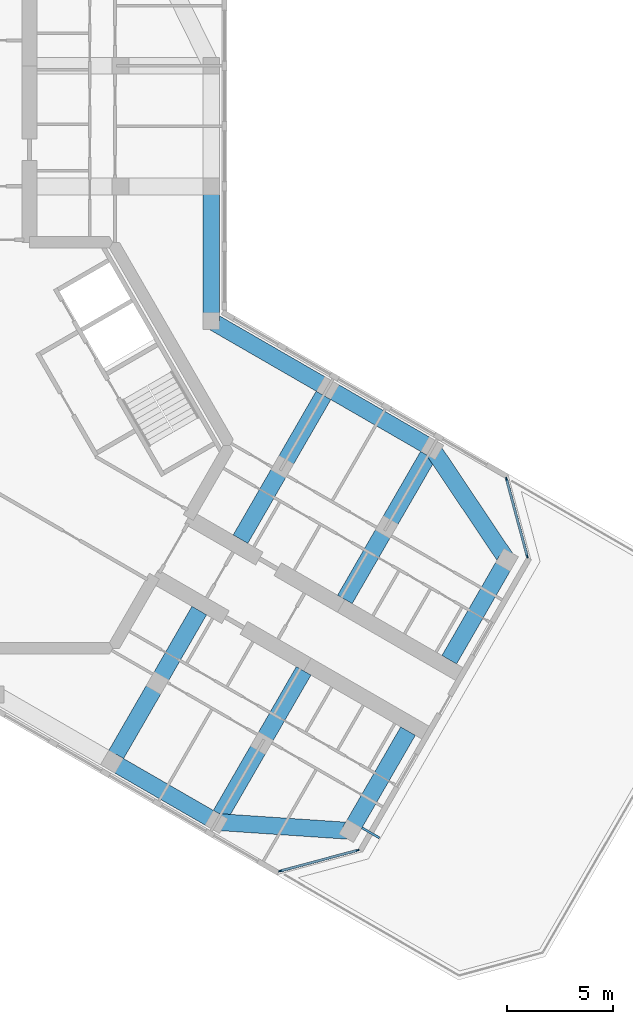
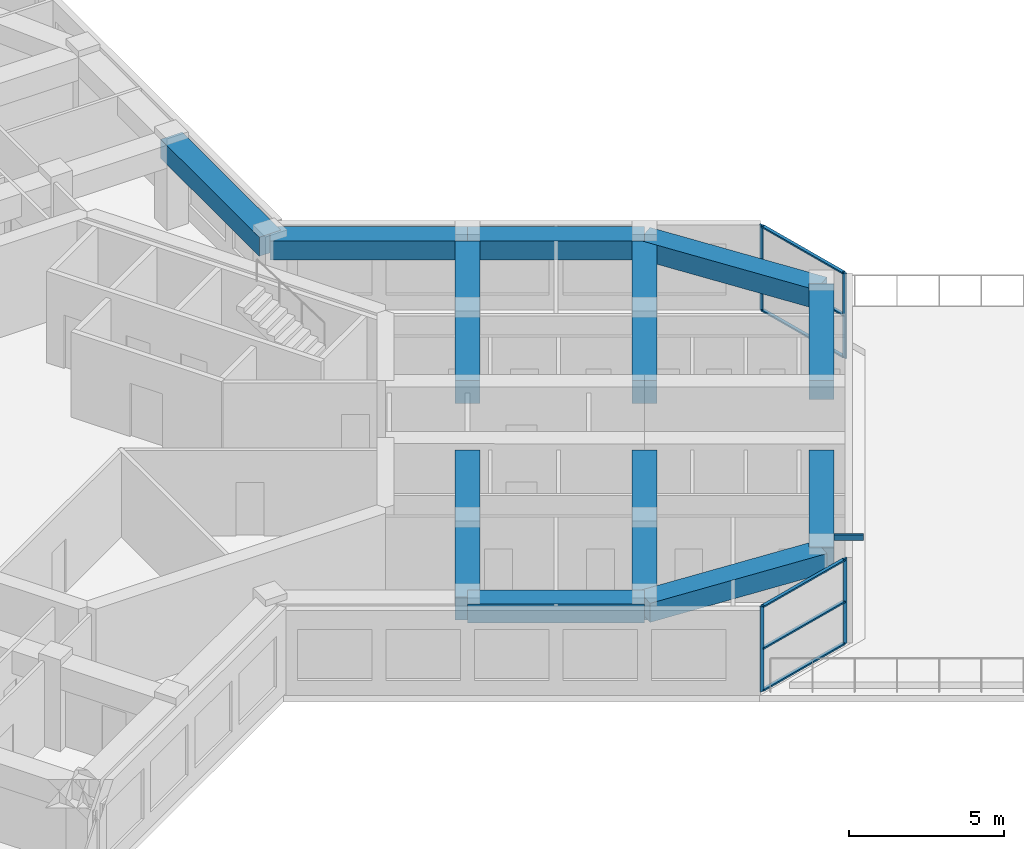
# One storey, part 4 of 14: 12 beams, 11 members, 2 elements without a shape of their own.
"""IFC4 building model written with IfcOpenShell, lengths in metres."""

from ifc_helpers import new_model, si_unit, direction, frame, origin, origin_2d, place, context, subcontext, project, spatial, rectangle, hollow_rectangle, extrude, material, material_profile, profile_set, type_object, element, aggregate, save


model = new_model("IFC4")

# Units and contexts
model_context = context("Model", 3, precision=1e-05, world=origin(), true_north=direction((0.0, 1.0)))
body_context = subcontext(model_context, "Body", "Model", "MODEL_VIEW")
ifc_project = project(units=[si_unit("LENGTHUNIT", "METRE"), si_unit("AREAUNIT", "SQUARE_METRE"), si_unit("VOLUMEUNIT", "CUBIC_METRE"), si_unit("PLANEANGLEUNIT", "RADIAN"), si_unit("MASSUNIT", "GRAM", prefix="KILO")], contexts=[model_context])

# Site, building, storey
site_placement = place(None, origin())
site = spatial("IfcSite", under=ifc_project, at=site_placement, CompositionType="ELEMENT")
building_placement = place(site_placement, origin())
building = spatial("IfcBuilding", under=site, at=building_placement, Name="Kosmar Iwan School Tower", CompositionType="ELEMENT")
storey_placement = place(building_placement, frame((0.0, 0.0, 267.39990234375)))
storey = spatial("IfcBuildingStorey", under=building, at=storey_placement, Name="L67", CompositionType="ELEMENT", Elevation=267.39990234375)

# Member
ifc_material_1 = material(Name="Steel S355", Category="steel")
ifc_material_profile_1 = material_profile(ifc_material_1, hollow_rectangle(XDim=0.10009765625, YDim=0.199951171875, WallThickness=0.008056640625, at=origin_2d()), Name="RHS 200x100x8")
ifc_profile_set_1 = profile_set([ifc_material_profile_1], Name="Steel S355")
member_type_1 = type_object("IfcMemberType", Name="Fin bracket RHS 200x100", PredefinedType="USERDEFINED", material=ifc_profile_set_1)
member_1_placement = place(storey_placement, frame((17.327880859375, -18.087158203125, 3.47509765625), z_axis=(0.865988727248, -0.500063520245, 0.0), x_axis=(0.500063520245, 0.865988727248, 0.0)))
element("IfcMember", 1, at=member_1_placement, inside=storey, type_object=member_type_1, Name="Fin bracket L68", ObjectType="FIN BRACKET", PredefinedType="USERDEFINED", context=body_context, shape_type="SweptSolid", body=[
    extrude(hollow_rectangle(XDim=0.10009765625, YDim=0.199951171875, WallThickness=0.008056640625, at=origin_2d()), origin(), (0.0, 0.0, 1.0), 0.9501953125),
])

# Curtain wall, members
ifc_material_2 = material(Name="Dark glass in black aluminium frame", Category="aluminium")
curtain_wall_type = type_object("IfcCurtainWallType", Name="Chamfer curtain wall dark glass", PredefinedType="USERDEFINED", material=ifc_material_2)
curtain_wall_1_placement = place(storey_placement, origin())
curtain_wall_1 = element("IfcCurtainWall", 2, at=curtain_wall_1_placement, inside=storey, type_object=curtain_wall_type, Name="Curtain wall L67-F02", ObjectType="FACETED CURTAIN WALL", PredefinedType="USERDEFINED")
ifc_material_3 = material(Name="Black anodised aluminium", Category="aluminium")
ifc_material_profile_2 = material_profile(ifc_material_3, rectangle(XDim=0.06005859375, YDim=0.159912109375, at=origin_2d()), Name="MULLION 60x160")
ifc_profile_set_2 = profile_set([ifc_material_profile_2], Name="Black anodised aluminium")
member_type_2 = type_object("IfcMemberType", Name="Mullion 60x160", PredefinedType="MULLION", material=ifc_profile_set_2)
member_2_placement = place(storey_placement, frame((13.466064453125, -20.127197265625, 0.0), z_axis=(0.0, 0.0, 1.0), x_axis=(-0.258818861462, 0.965925875495, 0.0)))
member_2 = element("IfcMember", 3, at=member_2_placement, type_object=member_type_2, Name="CW2 mullion 1", PredefinedType="MULLION", context=body_context, shape_type="SweptSolid", body=[
    extrude(rectangle(XDim=0.06005859375, YDim=0.159912109375, at=origin_2d()), origin(), (0.0, 0.0, 1.0), 3.35009765625),
])
member_3_placement = place(storey_placement, frame((17.1162109375, -19.149169921875, 0.0), z_axis=(0.0, 0.0, 1.0), x_axis=(-0.258818861462, 0.965925875495, 0.0)))
member_3 = element("IfcMember", 4, at=member_3_placement, type_object=member_type_2, Name="CW2 mullion 2", PredefinedType="MULLION", context=body_context, shape_type="SweptSolid", body=[
    extrude(rectangle(XDim=0.06005859375, YDim=0.159912109375, at=origin_2d()), origin(), (0.0, 0.0, 1.0), 3.35009765625),
])

curtain_wall_2_placement = place(storey_placement, origin())
curtain_wall_2 = element("IfcCurtainWall", 5, at=curtain_wall_2_placement, inside=storey, type_object=curtain_wall_type, Name="Curtain wall L67-F04", ObjectType="FACETED CURTAIN WALL", PredefinedType="USERDEFINED")
member_4_placement = place(storey_placement, frame((25.141845703125, -5.24853515625, 0.0), z_axis=(0.0, 0.0, 1.0), x_axis=(-0.965925875495, -0.258818861462, 0.0)))
member_4 = element("IfcMember", 6, at=member_4_placement, type_object=member_type_2, Name="CW2 mullion 1", PredefinedType="MULLION", context=body_context, shape_type="SweptSolid", body=[
    extrude(rectangle(XDim=0.06005859375, YDim=0.159912109375, at=origin_2d()), origin(), (0.0, 0.0, 1.0), 3.35009765625),
])
member_5_placement = place(storey_placement, frame((24.163818359375, -1.59814453125, 0.0), z_axis=(0.0, 0.0, 1.0), x_axis=(-0.965925875495, -0.258818861462, 0.0)))
member_5 = element("IfcMember", 7, at=member_5_placement, type_object=member_type_2, Name="CW2 mullion 2", PredefinedType="MULLION", context=body_context, shape_type="SweptSolid", body=[
    extrude(rectangle(XDim=0.06005859375, YDim=0.159912109375, at=origin_2d()), origin(), (0.0, 0.0, 1.0), 3.35009765625),
])

# Beams
ifc_material_4 = material(Name="Concrete C50/60", Category="concrete")
ifc_material_profile_3 = material_profile(ifc_material_4, rectangle(XDim=0.800048828125, YDim=0.75, at=origin_2d()), Name="RC 800x750")
ifc_profile_set_3 = profile_set([ifc_material_profile_3], Name="Concrete C50/60")
beam_type_1 = type_object("IfcBeamType", Name="RC edge beam 800x750", PredefinedType="BEAM", material=ifc_profile_set_3)
beam_1_placement = place(storey_placement, frame((10.199951171875, 5.888916015625, 2.97509765625), z_axis=(0.0, 1.0, 0.0), x_axis=(-1.0, 0.0, 0.0)))
element("IfcBeam", 8, at=beam_1_placement, inside=storey, type_object=beam_type_1, Name="Edge beam AR1", PredefinedType="BEAM", context=body_context, shape_type="SweptSolid", body=[
    extrude(rectangle(XDim=0.800048828125, YDim=0.75, at=origin_2d()), origin(), (0.0, 0.0, 1.0), 6.361083984375),
])
beam_2_placement = place(storey_placement, frame((10.199951171875, 5.888916015625, 2.97509765625), z_axis=(0.866030912664, -0.49999045822, 0.0), x_axis=(0.49999045822, 0.866030912664, 0.0)))
element("IfcBeam", 9, at=beam_2_placement, inside=storey, type_object=beam_type_1, Name="Edge beam CL1", PredefinedType="BEAM", context=body_context, shape_type="SweptSolid", body=[
    extrude(rectangle(XDim=0.800048828125, YDim=0.75, at=origin_2d()), origin(), (0.0, 0.0, 1.0), 6.36083984375),
])
beam_3_placement = place(storey_placement, frame((15.708740234375, 2.70849609375, 2.97509765625), z_axis=(0.866025820012, -0.499999279071, 0.0), x_axis=(0.499999279071, 0.866025820012, 0.0)))
element("IfcBeam", 10, at=beam_3_placement, inside=storey, type_object=beam_type_1, Name="Edge beam CL2", PredefinedType="BEAM", context=body_context, shape_type="SweptSolid", body=[
    extrude(rectangle(XDim=0.800048828125, YDim=0.75, at=origin_2d()), origin(), (0.0, 0.0, 1.0), 5.7001953125),
])
beam_4_placement = place(storey_placement, frame((5.5087890625, -14.95849609375, 2.97509765625), z_axis=(0.866033658841, -0.49998570155, 0.0), x_axis=(0.49998570155, 0.866033658841, 0.0)))
element("IfcBeam", 11, at=beam_4_placement, inside=storey, type_object=beam_type_1, Name="Edge beam CR2", PredefinedType="BEAM", context=body_context, shape_type="SweptSolid", body=[
    extrude(rectangle(XDim=0.800048828125, YDim=0.75, at=origin_2d()), origin(), (0.0, 0.0, 1.0), 5.699951171875),
])
ifc_material_5 = material(Name="Concrete C50/60", Category="concrete")
ifc_material_profile_4 = material_profile(ifc_material_5, rectangle(XDim=0.800048828125, YDim=0.75, at=origin_2d()), Name="RC 800x750")
ifc_profile_set_4 = profile_set([ifc_material_profile_4], Name="Concrete C50/60")
beam_type_2 = type_object("IfcBeamType", Name="RC tip beam 800x750", PredefinedType="BEAM", material=ifc_profile_set_4)
beam_5_placement = place(storey_placement, frame((20.645263671875, -0.1416015625, 2.97509765625), z_axis=(0.556827604145, -0.83062808721, 0.0), x_axis=(0.83062808721, 0.556827604145, 0.0)))
element("IfcBeam", 12, at=beam_5_placement, inside=storey, type_object=beam_type_2, Name="Tip beam CL", PredefinedType="BEAM", context=body_context, shape_type="SweptSolid", body=[
    extrude(rectangle(XDim=0.800048828125, YDim=0.75, at=origin_2d()), origin(), (0.0, 0.0, 1.0), 6.3505859375),
])
beam_6_placement = place(storey_placement, frame((24.181396484375, -5.41650390625, 2.97509765625), z_axis=(-0.499988730927, -0.866031909889, 0.0), x_axis=(0.866031909889, -0.499988730927, 0.0)))
element("IfcBeam", 13, at=beam_6_placement, inside=storey, type_object=beam_type_2, Name="Tip beam CL to corridor wall", PredefinedType="BEAM", context=body_context, shape_type="SweptSolid", body=[
    extrude(rectangle(XDim=0.800048828125, YDim=0.75, at=origin_2d()), origin(), (0.0, 0.0, 1.0), 5.449951171875),
])
beam_7_placement = place(storey_placement, frame((10.445068359375, -17.808349609375, 2.97509765625), z_axis=(0.997755118724, -0.066968074933, 0.0), x_axis=(0.066968074933, 0.997755118724, 0.0)))
element("IfcBeam", 14, at=beam_7_placement, inside=storey, type_object=beam_type_2, Name="Tip beam CR", PredefinedType="BEAM", context=body_context, shape_type="SweptSolid", body=[
    extrude(rectangle(XDim=0.800048828125, YDim=0.75, at=origin_2d()), origin(), (0.0, 0.0, 1.0), 6.3505859375),
])
beam_8_placement = place(storey_placement, frame((16.781494140625, -18.233642578125, 2.97509765625), z_axis=(0.500002931134, 0.866023711487, 0.0), x_axis=(-0.866023711487, 0.500002931134, 0.0)))
element("IfcBeam", 15, at=beam_8_placement, inside=storey, type_object=beam_type_2, Name="Tip beam CR to corridor wall", PredefinedType="BEAM", context=body_context, shape_type="SweptSolid", body=[
    extrude(rectangle(XDim=0.800048828125, YDim=0.75, at=origin_2d()), origin(), (0.0, 0.0, 1.0), 5.4501953125),
])
ifc_material_6 = material(Name="Concrete C50/60", Category="concrete")
ifc_material_profile_5 = material_profile(ifc_material_6, rectangle(XDim=0.800048828125, YDim=0.89990234375, at=origin_2d()), Name="RC 800x900")
ifc_profile_set_5 = profile_set([ifc_material_profile_5], Name="Concrete C50/60")
beam_type_3 = type_object("IfcBeamType", Name="RC transverse beam 800x900", PredefinedType="BEAM", material=ifc_profile_set_5)
beam_9_placement = place(storey_placement, frame((15.708740234375, 2.70849609375, 2.900146484375), z_axis=(-0.499996545922, -0.866027397988, 0.0), x_axis=(0.866027397988, -0.499996545922, 0.0)))
element("IfcBeam", 16, at=beam_9_placement, inside=storey, type_object=beam_type_3, Name="Transverse beam CL1", PredefinedType="BEAM", context=body_context, shape_type="SweptSolid", body=[
    extrude(rectangle(XDim=0.800048828125, YDim=0.89990234375, at=origin_2d()), origin(), (0.0, 0.0, 1.0), 8.25),
])
beam_10_placement = place(storey_placement, frame((20.645263671875, -0.1416015625, 2.900146484375), z_axis=(-0.500009360108, -0.866019999656, 0.0), x_axis=(0.866019999656, -0.500009360108, 0.0)))
element("IfcBeam", 17, at=beam_10_placement, inside=storey, type_object=beam_type_3, Name="Transverse beam CL2", PredefinedType="BEAM", context=body_context, shape_type="SweptSolid", body=[
    extrude(rectangle(XDim=0.800048828125, YDim=0.89990234375, at=origin_2d()), origin(), (0.0, 0.0, 1.0), 8.249755859375),
])
beam_11_placement = place(storey_placement, frame((5.5087890625, -14.95849609375, 2.900146484375), z_axis=(0.499996545922, 0.866027397988, 0.0), x_axis=(-0.866027397988, 0.499996545922, 0.0)))
element("IfcBeam", 18, at=beam_11_placement, inside=storey, type_object=beam_type_3, Name="Transverse beam CR1", PredefinedType="BEAM", context=body_context, shape_type="SweptSolid", body=[
    extrude(rectangle(XDim=0.800048828125, YDim=0.89990234375, at=origin_2d()), origin(), (0.0, 0.0, 1.0), 8.25),
])
beam_12_placement = place(storey_placement, frame((10.445068359375, -17.808349609375, 2.900146484375), z_axis=(0.500009360108, 0.866019999656, 0.0), x_axis=(-0.866019999656, 0.500009360108, 0.0)))
element("IfcBeam", 19, at=beam_12_placement, inside=storey, type_object=beam_type_3, Name="Transverse beam CR2", PredefinedType="BEAM", context=body_context, shape_type="SweptSolid", body=[
    extrude(rectangle(XDim=0.800048828125, YDim=0.89990234375, at=origin_2d()), origin(), (0.0, 0.0, 1.0), 8.249755859375),
])

# Member
ifc_material_7 = material(Name="Black anodised aluminium", Category="aluminium")
ifc_material_profile_6 = material_profile(ifc_material_7, rectangle(XDim=0.1201171875, YDim=0.06005859375, at=origin_2d()), Name="TRANSOM 60x120")
ifc_profile_set_6 = profile_set([ifc_material_profile_6], Name="Black anodised aluminium")
member_type_3 = type_object("IfcMemberType", Name="Transom 60x120", PredefinedType="USERDEFINED", material=ifc_profile_set_6)
member_6_placement = place(storey_placement, frame((13.494873046875, -20.119384765625, 0.030029296875), z_axis=(0.965940141052, 0.258765615768, 0.0), x_axis=(-0.258765615768, 0.965940141052, 0.0)))
member_6 = element("IfcMember", 20, at=member_6_placement, type_object=member_type_3, Name="CW2 transom 1.1", ObjectType="TRANSOM", PredefinedType="USERDEFINED", context=body_context, shape_type="SweptSolid", body=[
    extrude(rectangle(XDim=0.1201171875, YDim=0.06005859375, at=origin_2d()), origin(), (0.0, 0.0, 1.0), 3.71923828125),
])

member_7_placement = place(storey_placement, frame((13.494873046875, -20.119384765625, 1.675048828125), z_axis=(0.965940141052, 0.258765615768, 0.0), x_axis=(-0.258765615768, 0.965940141052, 0.0)))
member_7 = element("IfcMember", 21, at=member_7_placement, type_object=member_type_3, Name="CW2 transom 1.2", ObjectType="TRANSOM", PredefinedType="USERDEFINED", context=body_context, shape_type="SweptSolid", body=[
    extrude(rectangle(XDim=0.1201171875, YDim=0.06005859375, at=origin_2d()), origin(), (0.0, 0.0, 1.0), 3.71923828125),
])

member_8_placement = place(storey_placement, frame((13.494873046875, -20.119384765625, 3.320068359375), z_axis=(0.965940141052, 0.258765615768, 0.0), x_axis=(-0.258765615768, 0.965940141052, 0.0)))
member_8 = element("IfcMember", 22, at=member_8_placement, type_object=member_type_3, Name="CW2 transom 1.3", ObjectType="TRANSOM", PredefinedType="USERDEFINED", context=body_context, shape_type="SweptSolid", body=[
    extrude(rectangle(XDim=0.1201171875, YDim=0.06005859375, at=origin_2d()), origin(), (0.0, 0.0, 1.0), 3.71923828125),
])

aggregate(curtain_wall_1, [member_2, member_3, member_6, member_7, member_8])

member_9_placement = place(storey_placement, frame((25.134033203125, -5.219482421875, 0.030029296875), z_axis=(-0.258843273983, 0.965919333854, 0.0), x_axis=(-0.965919333854, -0.258843273983, 0.0)))
member_9 = element("IfcMember", 23, at=member_9_placement, type_object=member_type_3, Name="CW2 transom 1.1", ObjectType="TRANSOM", PredefinedType="USERDEFINED", context=body_context, shape_type="SweptSolid", body=[
    extrude(rectangle(XDim=0.1201171875, YDim=0.06005859375, at=origin_2d()), origin(), (0.0, 0.0, 1.0), 3.718994140625),
])

member_10_placement = place(storey_placement, frame((25.134033203125, -5.219482421875, 1.675048828125), z_axis=(-0.258843273983, 0.965919333854, 0.0), x_axis=(-0.965919333854, -0.258843273983, 0.0)))
member_10 = element("IfcMember", 24, at=member_10_placement, type_object=member_type_3, Name="CW2 transom 1.2", ObjectType="TRANSOM", PredefinedType="USERDEFINED", context=body_context, shape_type="SweptSolid", body=[
    extrude(rectangle(XDim=0.1201171875, YDim=0.06005859375, at=origin_2d()), origin(), (0.0, 0.0, 1.0), 3.718994140625),
])

member_11_placement = place(storey_placement, frame((25.134033203125, -5.219482421875, 3.320068359375), z_axis=(-0.258843273983, 0.965919333854, 0.0), x_axis=(-0.965919333854, -0.258843273983, 0.0)))
member_11 = element("IfcMember", 25, at=member_11_placement, type_object=member_type_3, Name="CW2 transom 1.3", ObjectType="TRANSOM", PredefinedType="USERDEFINED", context=body_context, shape_type="SweptSolid", body=[
    extrude(rectangle(XDim=0.1201171875, YDim=0.06005859375, at=origin_2d()), origin(), (0.0, 0.0, 1.0), 3.718994140625),
])

aggregate(curtain_wall_2, [member_4, member_5, member_9, member_10, member_11])

save(model, "model.ifc")
